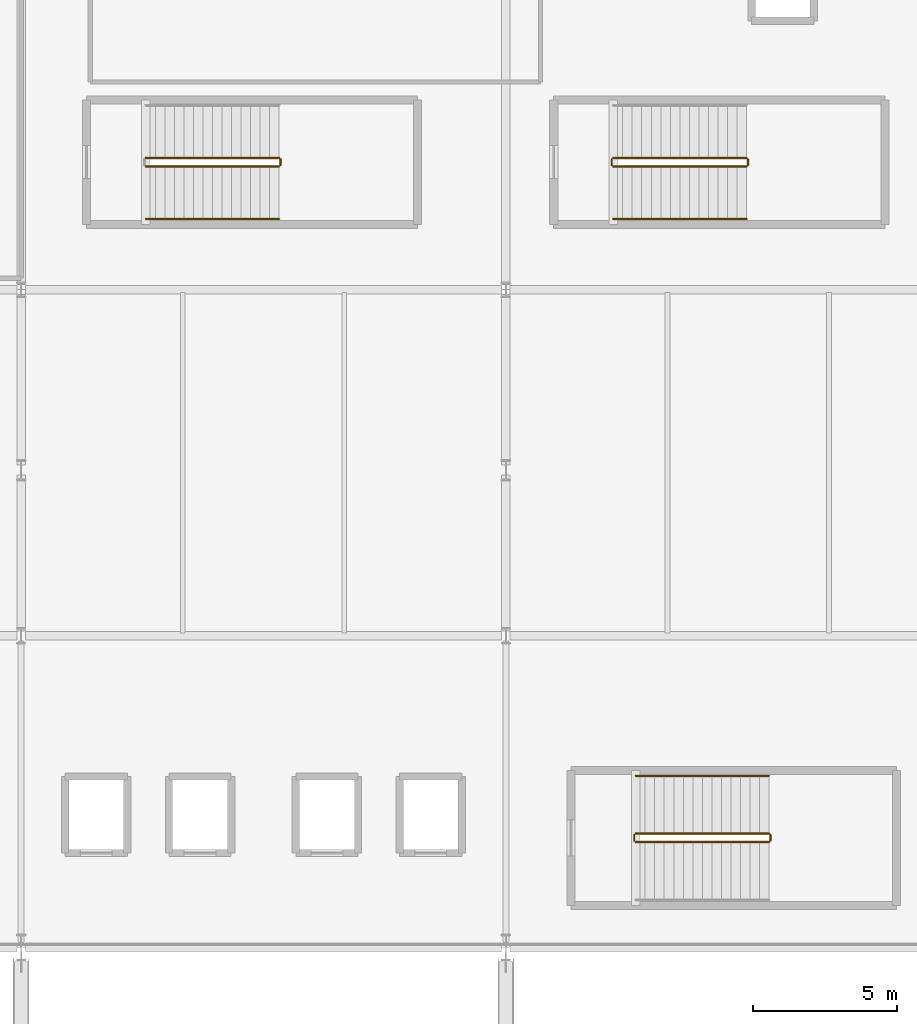
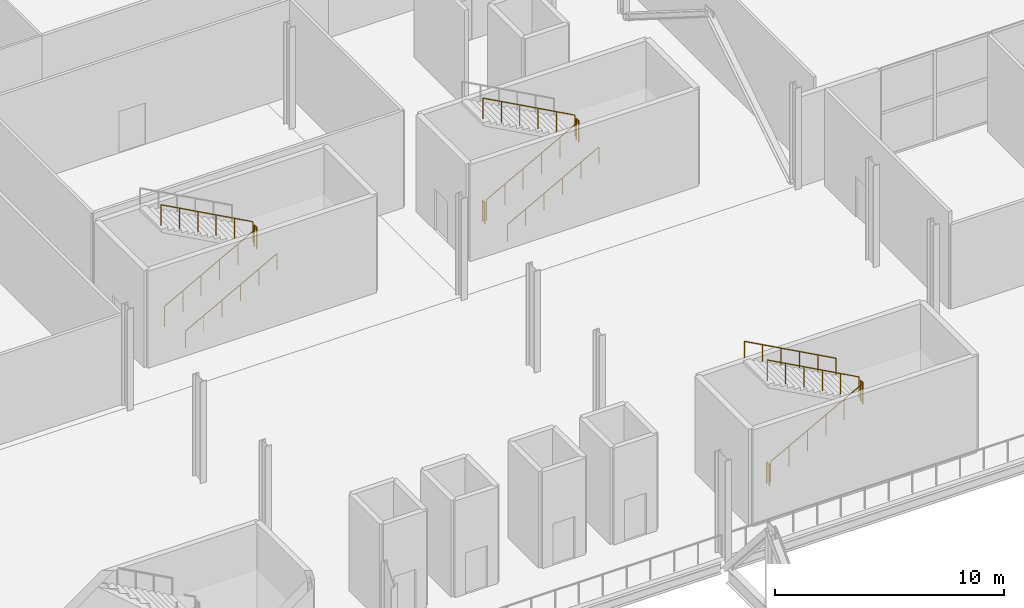
# One storey, part 76 of 84: 14 railings.
"""IFC4 building model written with IfcOpenShell, lengths in metres."""

from ifc_helpers import new_model, si_unit, direction, frame, origin, origin_2d, place, context, subcontext, project, spatial, circle, extrude, material, type_object, element, save


model = new_model("IFC4")

# Units and contexts
model_context = context("Model", 3, precision=1e-05, world=origin(), true_north=direction((0.0, 1.0)))
body_context = subcontext(model_context, "Body", "Model", "MODEL_VIEW")
ifc_project = project(units=[si_unit("LENGTHUNIT", "METRE"), si_unit("AREAUNIT", "SQUARE_METRE"), si_unit("VOLUMEUNIT", "CUBIC_METRE"), si_unit("PLANEANGLEUNIT", "RADIAN"), si_unit("MASSUNIT", "GRAM", prefix="KILO")], contexts=[model_context])

# Site, building, storey
site_placement = place(None, origin())
site = spatial("IfcSite", under=ifc_project, at=site_placement, CompositionType="ELEMENT")
building_placement = place(site_placement, origin())
building = spatial("IfcBuilding", under=site, at=building_placement, Name="Kimbaza Rail Terminus", CompositionType="ELEMENT")
storey_placement = place(building_placement, frame((0.0, 0.0, 5.39990234375)))
storey = spatial("IfcBuildingStorey", under=building, at=storey_placement, Name="L01", CompositionType="ELEMENT", Elevation=5.39990234375)

# Railings
ifc_material_1 = material(Name="Brushed stainless steel handrail", Category="steel")
railing_type_1 = type_object("IfcRailingType", Name="ARC-RL-HND92", PredefinedType="HANDRAIL", material=ifc_material_1)
railing_1_placement = place(storey_placement, frame((109.919921875, 105.449951171875, 0.18017578125)))
element("IfcRailing", 1, at=railing_1_placement, inside=storey, type_object=railing_type_1, Name="L01 ST-M1 stair handrail 1", PredefinedType="HANDRAIL", context=body_context, shape_type="SweptSolid", body=[
    extrude(circle(Radius=0.02392578125, at=origin_2d()), frame((0.0, 0.0, 0.8759765625), z_axis=(0.877899118682, 0.0, 0.478845630049), x_axis=(0.0, 1.0, 0.0)), (0.0, 0.0, 1.0), 5.2626953125),
    extrude(circle(Radius=0.02099609375, at=origin_2d()), origin(), (0.0, 0.0, 1.0), 0.851806640625),
    extrude(circle(Radius=0.02099609375, at=origin_2d()), frame((0.924072265625, 0.0, 0.50390625)), (0.0, 0.0, 1.0), 0.851806640625),
    extrude(circle(Radius=0.02099609375, at=origin_2d()), frame((1.84814453125, 0.0, 1.008056640625)), (0.0, 0.0, 1.0), 0.851806640625),
    extrude(circle(Radius=0.02099609375, at=origin_2d()), frame((2.77197265625, 0.0, 1.511962890625)), (0.0, 0.0, 1.0), 0.851806640625),
    extrude(circle(Radius=0.02099609375, at=origin_2d()), frame((3.696044921875, 0.0, 2.01611328125)), (0.0, 0.0, 1.0), 0.851806640625),
    extrude(circle(Radius=0.02099609375, at=origin_2d()), frame((4.6201171875, 0.0, 2.52001953125)), (0.0, 0.0, 1.0), 0.851806640625),
])
railing_2_placement = place(storey_placement, frame((126.1201171875, 105.449951171875, 0.18017578125)))
element("IfcRailing", 2, at=railing_2_placement, inside=storey, type_object=railing_type_1, Name="L01 ST-E1 stair handrail 1", PredefinedType="HANDRAIL", context=body_context, shape_type="SweptSolid", body=[
    extrude(circle(Radius=0.02392578125, at=origin_2d()), frame((0.0, 0.0, 0.8759765625), z_axis=(0.877888480945, 0.0, 0.478865132395), x_axis=(0.0, 1.0, 0.0)), (0.0, 0.0, 1.0), 5.262451171875),
    extrude(circle(Radius=0.02099609375, at=origin_2d()), origin(), (0.0, 0.0, 1.0), 0.851806640625),
    extrude(circle(Radius=0.02099609375, at=origin_2d()), frame((0.924072265625, 0.0, 0.50390625)), (0.0, 0.0, 1.0), 0.851806640625),
    extrude(circle(Radius=0.02099609375, at=origin_2d()), frame((1.847900390625, 0.0, 1.008056640625)), (0.0, 0.0, 1.0), 0.851806640625),
    extrude(circle(Radius=0.02099609375, at=origin_2d()), frame((2.77197265625, 0.0, 1.511962890625)), (0.0, 0.0, 1.0), 0.851806640625),
    extrude(circle(Radius=0.02099609375, at=origin_2d()), frame((3.69580078125, 0.0, 2.01611328125)), (0.0, 0.0, 1.0), 0.851806640625),
    extrude(circle(Radius=0.02099609375, at=origin_2d()), frame((4.619873046875, 0.0, 2.52001953125)), (0.0, 0.0, 1.0), 0.851806640625),
])
railing_3_placement = place(storey_placement, frame((131.52001953125, 86.14990234375, 2.880126953125)))
element("IfcRailing", 3, at=railing_3_placement, inside=storey, type_object=railing_type_1, Name="L01 ST-C4 stair handrail 2", PredefinedType="HANDRAIL", context=body_context, shape_type="SweptSolid", body=[
    extrude(circle(Radius=0.02392578125, at=origin_2d()), frame((0.0, 0.0, 0.8759765625), z_axis=(-0.877899118682, 0.0, 0.478845630049), x_axis=(0.0, -1.0, 0.0)), (0.0, 0.0, 1.0), 5.2626953125),
    extrude(circle(Radius=0.02099609375, at=origin_2d()), origin(), (0.0, 0.0, 1.0), 0.851806640625),
    extrude(circle(Radius=0.02099609375, at=origin_2d()), frame((-0.924072265625, 0.0, 0.50390625)), (0.0, 0.0, 1.0), 0.851806640625),
    extrude(circle(Radius=0.02099609375, at=origin_2d()), frame((-1.84814453125, 0.0, 1.008056640625)), (0.0, 0.0, 1.0), 0.851806640625),
    extrude(circle(Radius=0.02099609375, at=origin_2d()), frame((-2.77197265625, 0.0, 1.511962890625)), (0.0, 0.0, 1.0), 0.851806640625),
    extrude(circle(Radius=0.02099609375, at=origin_2d()), frame((-3.696044921875, 0.0, 2.01611328125)), (0.0, 0.0, 1.0), 0.851806640625),
    extrude(circle(Radius=0.02099609375, at=origin_2d()), frame((-4.6201171875, 0.0, 2.52001953125)), (0.0, 0.0, 1.0), 0.851806640625),
])
ifc_material_2 = material(Name="Painted tubular steel stair well guard", Category="steel")
railing_type_2 = type_object("IfcRailingType", Name="ARC-RL-STGRD", PredefinedType="GUARDRAIL", material=ifc_material_2)
railing_4_placement = place(storey_placement, frame((109.919921875, 107.27001953125, 0.18017578125)))
element("IfcRailing", 4, at=railing_4_placement, inside=storey, type_object=railing_type_2, Name="L01 ST-M1 stair guard 1", PredefinedType="GUARDRAIL", context=body_context, shape_type="SweptSolid", body=[
    extrude(circle(Radius=0.02392578125, at=origin_2d()), frame((0.0, 0.0, 1.09619140625), z_axis=(0.877899118682, 0.0, 0.478845630049), x_axis=(0.0, 1.0, 0.0)), (0.0, 0.0, 1.0), 5.2626953125),
    extrude(circle(Radius=0.02099609375, at=origin_2d()), origin(), (0.0, 0.0, 1.0), 1.072021484375),
    extrude(circle(Radius=0.02099609375, at=origin_2d()), frame((0.924072265625, 0.0, 0.50390625)), (0.0, 0.0, 1.0), 1.072021484375),
    extrude(circle(Radius=0.02099609375, at=origin_2d()), frame((1.84814453125, 0.0, 1.008056640625)), (0.0, 0.0, 1.0), 1.072021484375),
    extrude(circle(Radius=0.02099609375, at=origin_2d()), frame((2.77197265625, 0.0, 1.511962890625)), (0.0, 0.0, 1.0), 1.072021484375),
    extrude(circle(Radius=0.02099609375, at=origin_2d()), frame((3.696044921875, 0.0, 2.01611328125)), (0.0, 0.0, 1.0), 1.072021484375),
    extrude(circle(Radius=0.02099609375, at=origin_2d()), frame((4.6201171875, 0.0, 2.52001953125)), (0.0, 0.0, 1.0), 1.072021484375),
])
railing_5_placement = place(storey_placement, frame((114.590087890625, 107.320068359375, 2.7001953125)))
element("IfcRailing", 5, at=railing_5_placement, inside=storey, type_object=railing_type_2, Name="L01 ST-M1 stair guard 2", PredefinedType="GUARDRAIL", context=body_context, shape_type="SweptSolid", body=[
    extrude(circle(Radius=0.02392578125, at=origin_2d()), frame((0.0, 0.0, 1.09619140625), z_axis=(0.0, 1.0, 0.0), x_axis=(-1.0, 0.0, 0.0)), (0.0, 0.0, 1.0), 0.199951171875),
    extrude(circle(Radius=0.02099609375, at=origin_2d()), origin(), (0.0, 0.0, 1.0), 1.072021484375),
    extrude(circle(Radius=0.02099609375, at=origin_2d()), frame((0.0, 0.199951171875, 0.0)), (0.0, 0.0, 1.0), 1.072021484375),
])
railing_6_placement = place(storey_placement, frame((114.5400390625, 107.570068359375, 2.880126953125)))
element("IfcRailing", 6, at=railing_6_placement, inside=storey, type_object=railing_type_2, Name="L01 ST-M1 stair guard 3", PredefinedType="GUARDRAIL", context=body_context, shape_type="SweptSolid", body=[
    extrude(circle(Radius=0.02392578125, at=origin_2d()), frame((0.0, 0.0, 1.09619140625), z_axis=(-0.877899118682, 0.0, 0.478845630049), x_axis=(0.0, -1.0, 0.0)), (0.0, 0.0, 1.0), 5.2626953125),
    extrude(circle(Radius=0.02099609375, at=origin_2d()), origin(), (0.0, 0.0, 1.0), 1.072021484375),
    extrude(circle(Radius=0.02099609375, at=origin_2d()), frame((-0.924072265625, 0.0, 0.50390625)), (0.0, 0.0, 1.0), 1.072021484375),
    extrude(circle(Radius=0.02099609375, at=origin_2d()), frame((-1.84814453125, 0.0, 1.008056640625)), (0.0, 0.0, 1.0), 1.072021484375),
    extrude(circle(Radius=0.02099609375, at=origin_2d()), frame((-2.77197265625, 0.0, 1.511962890625)), (0.0, 0.0, 1.0), 1.072021484375),
    extrude(circle(Radius=0.02099609375, at=origin_2d()), frame((-3.696044921875, 0.0, 2.01611328125)), (0.0, 0.0, 1.0), 1.072021484375),
    extrude(circle(Radius=0.02099609375, at=origin_2d()), frame((-4.6201171875, 0.0, 2.52001953125)), (0.0, 0.0, 1.0), 1.072021484375),
])
railing_7_placement = place(storey_placement, frame((126.1201171875, 107.27001953125, 0.18017578125)))
element("IfcRailing", 7, at=railing_7_placement, inside=storey, type_object=railing_type_2, Name="L01 ST-E1 stair guard 1", PredefinedType="GUARDRAIL", context=body_context, shape_type="SweptSolid", body=[
    extrude(circle(Radius=0.02392578125, at=origin_2d()), frame((0.0, 0.0, 1.09619140625), z_axis=(0.877888480945, 0.0, 0.478865132395), x_axis=(0.0, 1.0, 0.0)), (0.0, 0.0, 1.0), 5.262451171875),
    extrude(circle(Radius=0.02099609375, at=origin_2d()), origin(), (0.0, 0.0, 1.0), 1.072021484375),
    extrude(circle(Radius=0.02099609375, at=origin_2d()), frame((0.924072265625, 0.0, 0.50390625)), (0.0, 0.0, 1.0), 1.072021484375),
    extrude(circle(Radius=0.02099609375, at=origin_2d()), frame((1.847900390625, 0.0, 1.008056640625)), (0.0, 0.0, 1.0), 1.072021484375),
    extrude(circle(Radius=0.02099609375, at=origin_2d()), frame((2.77197265625, 0.0, 1.511962890625)), (0.0, 0.0, 1.0), 1.072021484375),
    extrude(circle(Radius=0.02099609375, at=origin_2d()), frame((3.69580078125, 0.0, 2.01611328125)), (0.0, 0.0, 1.0), 1.072021484375),
    extrude(circle(Radius=0.02099609375, at=origin_2d()), frame((4.619873046875, 0.0, 2.52001953125)), (0.0, 0.0, 1.0), 1.072021484375),
])
railing_8_placement = place(storey_placement, frame((130.7900390625, 107.320068359375, 2.7001953125)))
element("IfcRailing", 8, at=railing_8_placement, inside=storey, type_object=railing_type_2, Name="L01 ST-E1 stair guard 2", PredefinedType="GUARDRAIL", context=body_context, shape_type="SweptSolid", body=[
    extrude(circle(Radius=0.02392578125, at=origin_2d()), frame((0.0, 0.0, 1.09619140625), z_axis=(0.0, 1.0, 0.0), x_axis=(-1.0, 0.0, 0.0)), (0.0, 0.0, 1.0), 0.199951171875),
    extrude(circle(Radius=0.02099609375, at=origin_2d()), origin(), (0.0, 0.0, 1.0), 1.072021484375),
    extrude(circle(Radius=0.02099609375, at=origin_2d()), frame((0.0, 0.199951171875, 0.0)), (0.0, 0.0, 1.0), 1.072021484375),
])
railing_9_placement = place(storey_placement, frame((130.739990234375, 107.570068359375, 2.880126953125)))
element("IfcRailing", 9, at=railing_9_placement, inside=storey, type_object=railing_type_2, Name="L01 ST-E1 stair guard 3", PredefinedType="GUARDRAIL", context=body_context, shape_type="SweptSolid", body=[
    extrude(circle(Radius=0.02392578125, at=origin_2d()), frame((0.0, 0.0, 1.09619140625), z_axis=(-0.877888480945, 0.0, 0.478865132395), x_axis=(0.0, -1.0, 0.0)), (0.0, 0.0, 1.0), 5.262451171875),
    extrude(circle(Radius=0.02099609375, at=origin_2d()), origin(), (0.0, 0.0, 1.0), 1.072021484375),
    extrude(circle(Radius=0.02099609375, at=origin_2d()), frame((-0.924072265625, 0.0, 0.50390625)), (0.0, 0.0, 1.0), 1.072021484375),
    extrude(circle(Radius=0.02099609375, at=origin_2d()), frame((-1.847900390625, 0.0, 1.008056640625)), (0.0, 0.0, 1.0), 1.072021484375),
    extrude(circle(Radius=0.02099609375, at=origin_2d()), frame((-2.77197265625, 0.0, 1.511962890625)), (0.0, 0.0, 1.0), 1.072021484375),
    extrude(circle(Radius=0.02099609375, at=origin_2d()), frame((-3.69580078125, 0.0, 2.01611328125)), (0.0, 0.0, 1.0), 1.072021484375),
    extrude(circle(Radius=0.02099609375, at=origin_2d()), frame((-4.619873046875, 0.0, 2.52001953125)), (0.0, 0.0, 1.0), 1.072021484375),
])
railing_10_placement = place(storey_placement, frame((126.070068359375, 107.320068359375, 0.0)))
element("IfcRailing", 10, at=railing_10_placement, inside=storey, type_object=railing_type_2, Name="L01 ST-E1 stair guard 4", PredefinedType="GUARDRAIL", context=body_context, shape_type="SweptSolid", body=[
    extrude(circle(Radius=0.02392578125, at=origin_2d()), frame((0.0, 0.0, 1.09619140625), z_axis=(0.0, 1.0, 0.0), x_axis=(-1.0, 0.0, 0.0)), (0.0, 0.0, 1.0), 0.199951171875),
    extrude(circle(Radius=0.02099609375, at=origin_2d()), origin(), (0.0, 0.0, 1.0), 1.072021484375),
    extrude(circle(Radius=0.02099609375, at=origin_2d()), frame((0.0, 0.199951171875, 0.0)), (0.0, 0.0, 1.0), 1.072021484375),
])
railing_11_placement = place(storey_placement, frame((126.89990234375, 83.85009765625, 0.18017578125)))
element("IfcRailing", 11, at=railing_11_placement, inside=storey, type_object=railing_type_2, Name="L01 ST-C4 stair guard 1", PredefinedType="GUARDRAIL", context=body_context, shape_type="SweptSolid", body=[
    extrude(circle(Radius=0.02392578125, at=origin_2d()), frame((0.0, 0.0, 1.09619140625), z_axis=(0.877899118682, 0.0, 0.478845630049), x_axis=(0.0, 1.0, 0.0)), (0.0, 0.0, 1.0), 5.2626953125),
    extrude(circle(Radius=0.02099609375, at=origin_2d()), origin(), (0.0, 0.0, 1.0), 1.072021484375),
    extrude(circle(Radius=0.02099609375, at=origin_2d()), frame((0.924072265625, 0.0, 0.50390625)), (0.0, 0.0, 1.0), 1.072021484375),
    extrude(circle(Radius=0.02099609375, at=origin_2d()), frame((1.84814453125, 0.0, 1.008056640625)), (0.0, 0.0, 1.0), 1.072021484375),
    extrude(circle(Radius=0.02099609375, at=origin_2d()), frame((2.77197265625, 0.0, 1.511962890625)), (0.0, 0.0, 1.0), 1.072021484375),
    extrude(circle(Radius=0.02099609375, at=origin_2d()), frame((3.696044921875, 0.0, 2.01611328125)), (0.0, 0.0, 1.0), 1.072021484375),
    extrude(circle(Radius=0.02099609375, at=origin_2d()), frame((4.6201171875, 0.0, 2.52001953125)), (0.0, 0.0, 1.0), 1.072021484375),
])
railing_12_placement = place(storey_placement, frame((131.570068359375, 83.89990234375, 2.7001953125)))
element("IfcRailing", 12, at=railing_12_placement, inside=storey, type_object=railing_type_2, Name="L01 ST-C4 stair guard 2", PredefinedType="GUARDRAIL", context=body_context, shape_type="SweptSolid", body=[
    extrude(circle(Radius=0.02392578125, at=origin_2d()), frame((0.0, 0.0, 1.09619140625), z_axis=(0.0, 1.0, 0.0), x_axis=(-1.0, 0.0, 0.0)), (0.0, 0.0, 1.0), 0.2001953125),
    extrude(circle(Radius=0.02099609375, at=origin_2d()), origin(), (0.0, 0.0, 1.0), 1.072021484375),
    extrude(circle(Radius=0.02099609375, at=origin_2d()), frame((0.0, 0.2001953125, 0.0)), (0.0, 0.0, 1.0), 1.072021484375),
])
railing_13_placement = place(storey_placement, frame((131.52001953125, 84.14990234375, 2.880126953125)))
element("IfcRailing", 13, at=railing_13_placement, inside=storey, type_object=railing_type_2, Name="L01 ST-C4 stair guard 3", PredefinedType="GUARDRAIL", context=body_context, shape_type="SweptSolid", body=[
    extrude(circle(Radius=0.02392578125, at=origin_2d()), frame((0.0, 0.0, 1.09619140625), z_axis=(-0.877899118682, 0.0, 0.478845630049), x_axis=(0.0, -1.0, 0.0)), (0.0, 0.0, 1.0), 5.2626953125),
    extrude(circle(Radius=0.02099609375, at=origin_2d()), origin(), (0.0, 0.0, 1.0), 1.072021484375),
    extrude(circle(Radius=0.02099609375, at=origin_2d()), frame((-0.924072265625, 0.0, 0.50390625)), (0.0, 0.0, 1.0), 1.072021484375),
    extrude(circle(Radius=0.02099609375, at=origin_2d()), frame((-1.84814453125, 0.0, 1.008056640625)), (0.0, 0.0, 1.0), 1.072021484375),
    extrude(circle(Radius=0.02099609375, at=origin_2d()), frame((-2.77197265625, 0.0, 1.511962890625)), (0.0, 0.0, 1.0), 1.072021484375),
    extrude(circle(Radius=0.02099609375, at=origin_2d()), frame((-3.696044921875, 0.0, 2.01611328125)), (0.0, 0.0, 1.0), 1.072021484375),
    extrude(circle(Radius=0.02099609375, at=origin_2d()), frame((-4.6201171875, 0.0, 2.52001953125)), (0.0, 0.0, 1.0), 1.072021484375),
])
railing_14_placement = place(storey_placement, frame((126.85009765625, 83.89990234375, 0.0)))
element("IfcRailing", 14, at=railing_14_placement, inside=storey, type_object=railing_type_2, Name="L01 ST-C4 stair guard 4", PredefinedType="GUARDRAIL", context=body_context, shape_type="SweptSolid", body=[
    extrude(circle(Radius=0.02392578125, at=origin_2d()), frame((0.0, 0.0, 1.09619140625), z_axis=(0.0, 1.0, 0.0), x_axis=(-1.0, 0.0, 0.0)), (0.0, 0.0, 1.0), 0.2001953125),
    extrude(circle(Radius=0.02099609375, at=origin_2d()), origin(), (0.0, 0.0, 1.0), 1.072021484375),
    extrude(circle(Radius=0.02099609375, at=origin_2d()), frame((0.0, 0.2001953125, 0.0)), (0.0, 0.0, 1.0), 1.072021484375),
])

save(model, "model.ifc")
